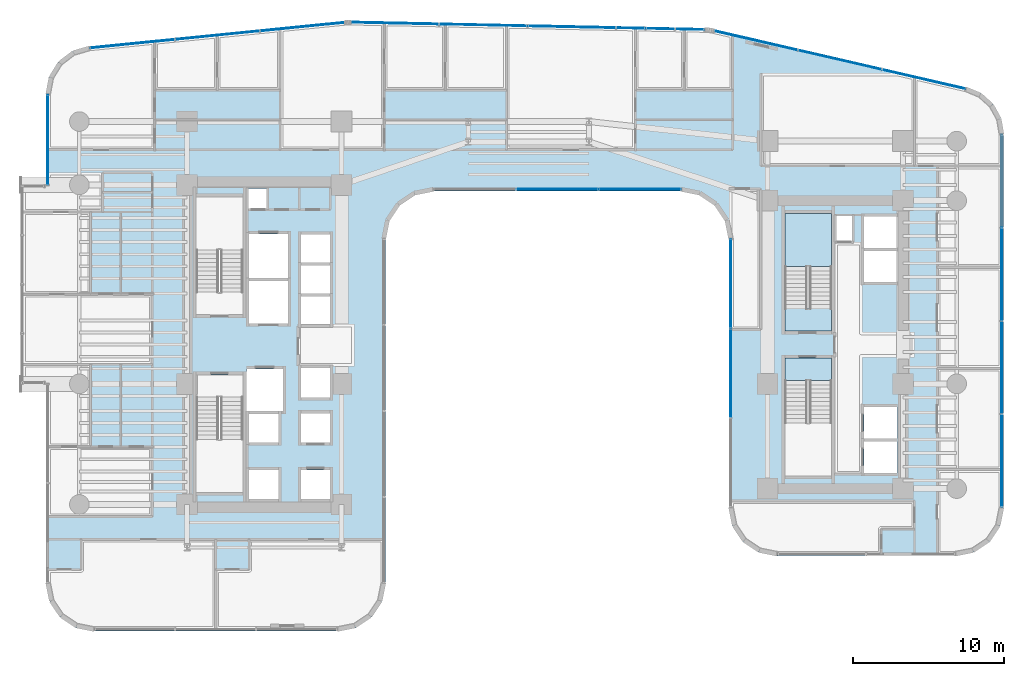
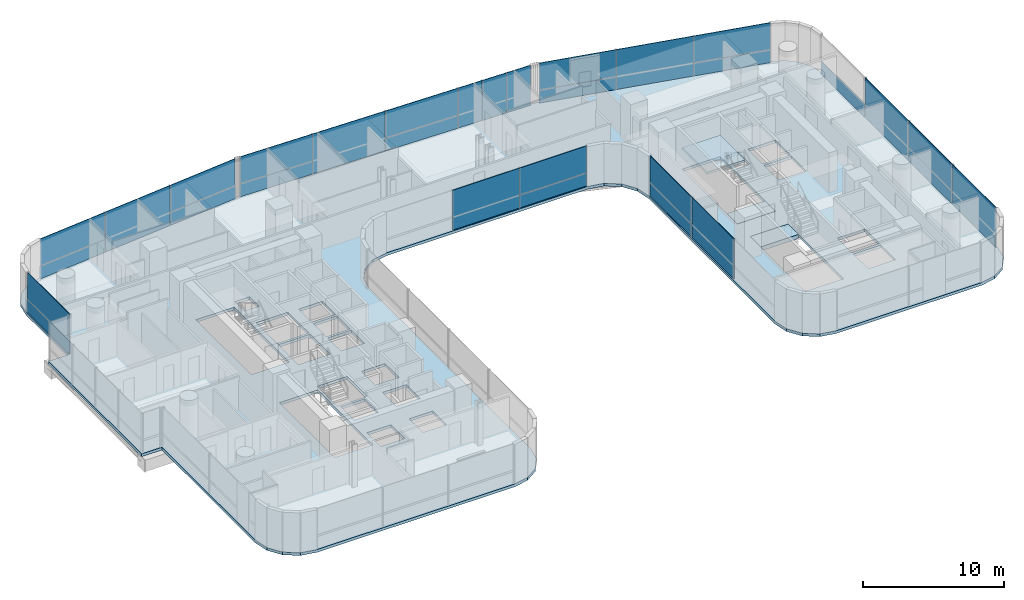
# One storey, part 28 of 40: 31 plates, 4 slabs, 8 elements without a shape of their own.
"""IFC4 building model written with IfcOpenShell, lengths in metres."""

from ifc_helpers import new_model, si_unit, direction, frame, origin, origin_2d, place, context, subcontext, project, spatial, polyline, rectangle, outline, extrude, source, transform, mapped, material, layer, layer_set, type_object, element, aggregate, save


model = new_model("IFC4")

# Units and contexts
model_context = context("Model", 3, precision=1e-05, world=origin(), true_north=direction((0.0, 1.0)))
body_context = subcontext(model_context, "Body", "Model", "MODEL_VIEW")
ifc_project = project(units=[si_unit("LENGTHUNIT", "METRE"), si_unit("AREAUNIT", "SQUARE_METRE"), si_unit("VOLUMEUNIT", "CUBIC_METRE"), si_unit("PLANEANGLEUNIT", "RADIAN"), si_unit("MASSUNIT", "GRAM", prefix="KILO")], contexts=[model_context])

# Site, building, storey
site_placement = place(None, origin())
site = spatial("IfcSite", under=ifc_project, at=site_placement, CompositionType="ELEMENT")
building_placement = place(site_placement, origin())
building = spatial("IfcBuilding", under=site, at=building_placement, Name="Valdorenza Pilgrim Sanctuary Tower", CompositionType="ELEMENT")
storey_placement = place(building_placement, frame((0.0, 0.0, 40.800048828125)))
storey = spatial("IfcBuildingStorey", under=building, at=storey_placement, Name="L09", CompositionType="ELEMENT", Elevation=40.800048828125)

# Slab
ifc_material_1 = material(Name="Concrete C40/50", Category="concrete")
ifc_layer_1 = layer(ifc_material_1, 0.239990234375, Name="Concrete C40/50")
ifc_layer_set_1 = layer_set([ifc_layer_1], Name="Concrete C40/50")
slab_type_1 = type_object("IfcSlabType", Name="SLAB-FLR-220", PredefinedType="FLOOR", material=ifc_layer_set_1)
slab_1_placement = place(storey_placement, frame((0.0, 0.0, -0.239990234375)))
element("IfcSlab", 1, at=slab_1_placement, inside=storey, type_object=slab_type_1, Name="L09 Structural Floor Slab 1", PredefinedType="FLOOR", context=body_context, shape_type="SweptSolid", body=[
    extrude(outline(polyline([(-31.785888671875, 17.754638671875), (-31.172607421875, 18.751220703125), (-30.241943359375, 19.460693359375), (-29.118408203125, 19.7880859375), (-12.192138671875, 21.480712890625), (-11.999755859375, 21.494140625), (-11.9033203125, 21.49658203125), (11.66943359375, 21.0068359375), (11.833984375, 20.999267578125), (11.997802734375, 20.983154296875), (12.160888671875, 20.95849609375), (12.322265625, 20.925537109375), (29.01953125, 17.072509765625), (30.00732421875, 16.660888671875), (30.80419921875, 15.946533203125), (31.321044921875, 15.009521484375), (31.5, 13.954345703125), (31.5, -10.800048828125), (31.25634765625, -12.024658203125), (30.562744140625, -13.062744140625), (29.524658203125, -13.75634765625), (28.300048828125, -14.0), (16.5, -14.0), (15.275390625, -13.75634765625), (14.2373046875, -13.062744140625), (13.543701171875, -12.024658203125), (13.300048828125, -10.800048828125), (13.300048828125, 7.0), (13.056396484375, 8.224609375), (12.36279296875, 9.2626953125), (11.32470703125, 9.956298828125), (10.10009765625, 10.199951171875), (-6.300048828125, 10.199951171875), (-7.524658203125, 9.956298828125), (-8.562744140625, 9.2626953125), (-9.25634765625, 8.224609375), (-9.5, 7.0), (-9.5, -15.800048828125), (-9.74365234375, -17.024658203125), (-10.437255859375, -18.062744140625), (-11.475341796875, -18.75634765625), (-12.699951171875, -19.0), (-28.800048828125, -19.0), (-30.024658203125, -18.75634765625), (-31.062744140625, -18.062744140625), (-31.75634765625, -17.024658203125), (-32.0, -15.800048828125), (-32.0, -2.60009765625), (-33.64990234375, -2.60009765625), (-33.64990234375, 10.60009765625), (-32.0, 10.60009765625), (-32.0, 16.60400390625), (-31.785888671875, 17.754638671875)]), holes=[polyline([(-16.60009765625, -10.25), (-16.60009765625, -8.300048828125), (-18.550048828125, -8.300048828125), (-18.550048828125, -10.25), (-16.60009765625, -10.25)]), polyline([(-22.050048828125, -9.800048828125), (-18.93994140625, -9.800048828125), (-18.93994140625, -3.485107421875), (-18.93994140625, -2.0), (-22.050048828125, -2.0), (-22.050048828125, -3.485107421875), (-22.050048828125, -9.800048828125)]), polyline([(-18.550048828125, -6.5), (-16.60009765625, -6.5), (-16.60009765625, -4.60009765625), (-18.550048828125, -4.60009765625), (-18.550048828125, -6.5)]), polyline([(-13.179931640625, -6.5), (-13.179931640625, -4.550048828125), (-15.10009765625, -4.550048828125), (-15.10009765625, -6.5), (-13.179931640625, -6.5)]), polyline([(-18.719970703125, -4.39990234375), (-16.300048828125, -4.39990234375), (-16.300048828125, -1.60009765625), (-18.719970703125, -1.60009765625), (-18.719970703125, -4.39990234375)]), polyline([(-13.179931640625, -3.5), (-13.179931640625, -1.550048828125), (-15.10009765625, -1.550048828125), (-15.10009765625, -3.5), (-13.179931640625, -3.5)]), polyline([(-22.050048828125, 2.0), (-18.93994140625, 2.0), (-18.93994140625, 3.485107421875), (-18.93994140625, 9.800048828125), (-22.050048828125, 9.800048828125), (-22.050048828125, 3.485107421875), (-22.050048828125, 2.0)]), polyline([(-18.550048828125, 1.39990234375), (-15.949951171875, 1.39990234375), (-15.949951171875, 4.22509765625), (-18.550048828125, 4.22509765625), (-18.550048828125, 1.39990234375)]), polyline([(-15.949951171875, 4.425048828125), (-15.949951171875, 7.35009765625), (-18.550048828125, 7.35009765625), (-18.550048828125, 4.425048828125), (-15.949951171875, 4.425048828125)]), polyline([(-15.10009765625, 5.449951171875), (-13.179931640625, 5.449951171875), (-13.179931640625, 7.300048828125), (-15.10009765625, 7.300048828125), (-15.10009765625, 5.449951171875)]), polyline([(-17.360107421875, 9.030029296875), (-17.360107421875, 10.35009765625), (-18.570068359375, 10.35009765625), (-18.570068359375, 9.030029296875), (-17.360107421875, 9.030029296875)]), polyline([(-15.10009765625, -10.25), (-13.179931640625, -10.25), (-13.179931640625, -8.300048828125), (-15.10009765625, -8.300048828125), (-15.10009765625, -10.25)]), polyline([(22.25, -8.5), (24.47998046875, -8.5), (24.47998046875, -6.425048828125), (22.25, -6.425048828125), (22.25, -8.5)]), polyline([(17.0, -2.385009765625), (17.0, -8.699951171875), (20.110107421875, -8.699951171875), (20.110107421875, -2.385009765625), (20.110107421875, -0.89990234375), (17.0, -0.89990234375), (17.0, -2.385009765625)]), polyline([(22.25, -6.22509765625), (24.47998046875, -6.22509765625), (24.47998046875, -4.14990234375), (22.25, -4.14990234375), (22.25, -6.22509765625)]), polyline([(17.0, 0.89990234375), (20.110107421875, 0.89990234375), (20.110107421875, 2.385009765625), (20.110107421875, 8.699951171875), (17.0, 8.699951171875), (17.0, 2.385009765625), (17.0, 0.89990234375)]), polyline([(-15.10009765625, 1.35009765625), (-13.179931640625, 1.35009765625), (-13.179931640625, 3.199951171875), (-15.10009765625, 3.199951171875), (-15.10009765625, 1.35009765625)]), polyline([(-15.10009765625, 3.39990234375), (-13.179931640625, 3.39990234375), (-13.179931640625, 5.25), (-15.10009765625, 5.25), (-15.10009765625, 3.39990234375)]), polyline([(22.25, 4.14990234375), (24.47998046875, 4.14990234375), (24.47998046875, 6.22509765625), (22.25, 6.22509765625), (22.25, 4.14990234375)]), polyline([(22.25, 6.425048828125), (24.47998046875, 6.425048828125), (24.47998046875, 8.5), (22.25, 8.5), (22.25, 6.425048828125)]), polyline([(20.409912109375, 6.860107421875), (21.489990234375, 6.860107421875), (21.489990234375, 8.52001953125), (20.409912109375, 8.52001953125), (20.409912109375, 6.860107421875)])]), origin(), (0.0, 0.0, 1.0), 0.239990234375),
])

# Stair, slab
stair_type = type_object("IfcStairType", Name="STR-DOG-CORE", PredefinedType="HALF_TURN_STAIR", material=ifc_material_1)
stair_placement = place(storey_placement, origin())
stair = element("IfcStair", 2, at=stair_placement, inside=storey, type_object=stair_type, Name="L09 ST-B1", PredefinedType="HALF_TURN_STAIR")
ifc_layer_2 = layer(ifc_material_1, 0.199951171875, Name="Concrete C40/50")
ifc_layer_set_2 = layer_set([ifc_layer_2], Name="Concrete C40/50")
slab_type_2 = type_object("IfcSlabType", Name="SLAB-STL-200", PredefinedType="LANDING", material=ifc_layer_set_2)
slab_2_placement = place(storey_placement, frame((0.0, 0.0, 1.64990234375)))
slab_2 = element("IfcSlab", 3, at=slab_2_placement, type_object=slab_type_2, Name="ST-B1 landing 1", PredefinedType="LANDING", context=body_context, shape_type="SweptSolid", body=[
    extrude(outline(polyline([(20.110107421875, 5.179931640625), (20.110107421875, 8.699951171875), (17.0, 8.699951171875), (17.0, 5.179931640625), (20.110107421875, 5.179931640625)])), origin(), (0.0, 0.0, 1.0), 0.199951171875),
])
aggregate(stair, [slab_2])

# Slabs
ifc_material_2 = material(Name="Concrete C50/60", Category="concrete")
ifc_layer_3 = layer(ifc_material_2, 0.39990234375, Name="Concrete C50/60")
ifc_layer_set_3 = layer_set([ifc_layer_3], Name="Concrete C50/60")
slab_type_3 = type_object("IfcSlabType", Name="SLAB-TRF-400", PredefinedType="FLOOR", material=ifc_layer_set_3)
slab_3_placement = place(storey_placement, frame((0.0, 0.0, -0.360107421875)))
element("IfcSlab", 4, at=slab_3_placement, inside=storey, type_object=slab_type_3, Name="L09 ST-B1 Structural Stair Landing Bearing Slab", PredefinedType="FLOOR", context=body_context, shape_type="SweptSolid", body=[
    extrude(outline(polyline([(17.0, 0.89990234375), (20.110107421875, 0.89990234375), (20.110107421875, 2.385009765625), (17.0, 2.385009765625), (17.0, 0.89990234375)])), origin(), (0.0, 0.0, 1.0), 0.360107421875),
])
slab_4_placement = place(storey_placement, frame((0.0, 0.0, -0.360107421875)))
element("IfcSlab", 5, at=slab_4_placement, inside=storey, type_object=slab_type_3, Name="L09 ST-B2 Structural Stair Landing Bearing Slab", PredefinedType="FLOOR", context=body_context, shape_type="SweptSolid", body=[
    extrude(outline(polyline([(17.0, -2.385009765625), (20.110107421875, -2.385009765625), (20.110107421875, -0.89990234375), (17.0, -0.89990234375), (17.0, -2.385009765625)])), origin(), (0.0, 0.0, 1.0), 0.360107421875),
])

# Curtain wall, plates
ifc_material_3 = material(Name="Curtain-wall IGU glazing", Category="glass")
curtain_wall_type_1 = type_object("IfcCurtainWallType", Name="CW-SYS-02", PredefinedType="NOTDEFINED", material=ifc_material_3)
curtain_wall_1_placement = place(storey_placement, origin())
curtain_wall_1 = element("IfcCurtainWall", 6, at=curtain_wall_1_placement, inside=storey, type_object=curtain_wall_type_1, Name="L09 Curtain Wall CW-L09-1-6", PredefinedType="NOTDEFINED")
ifc_material_4 = material(Name="Honed travertine limestone", Category="masonry")
ifc_layer_4 = layer(ifc_material_4, 0.050048828125, Name="Honed travertine limestone")
ifc_layer_set_4 = layer_set([ifc_layer_4], Name="Honed travertine limestone")
plate_type_1 = type_object("IfcPlateType", Name="CW-SPN-TRV", PredefinedType="USERDEFINED", material=ifc_layer_set_4)
shared_shape_1 = source(origin(), body_context, "Body", "SweptSolid", [
    extrude(rectangle(XDim=5.646484375, YDim=0.06005859375, at=origin_2d()), origin(), (0.0, 0.0, 1.0), 1.10009765625),
])
plate_1_placement = place(storey_placement, frame((-26.2783203125, 19.961669921875, 0.010009765625), z_axis=(0.0, 0.0, 1.0), x_axis=(0.995038220239, 0.099493418189, 0.0)))
plate_1 = element("IfcPlate", 7, at=plate_1_placement, type_object=plate_type_1, Name="CW-L09-1-6 Travertine Spandrel 1", ObjectType="SPANDREL", PredefinedType="USERDEFINED", context=body_context, shape_type="MappedRepresentation", body=[
    mapped(shared_shape_1, transform((0.0, 0.0, 0.0), x_axis=(1.0, 0.0, 0.0), y_axis=(0.0, 1.0, 0.0), z_axis=(0.0, 0.0, 1.0), scale=1.0)),
])
plate_2_placement = place(storey_placement, frame((-15.001220703125, 21.08935546875, 0.010009765625), z_axis=(0.0, 0.0, 1.0), x_axis=(0.995038220239, 0.099493418189, 0.0)))
plate_2 = element("IfcPlate", 8, at=plate_2_placement, type_object=plate_type_1, Name="CW-L09-1-6 Travertine Spandrel 3", ObjectType="SPANDREL", PredefinedType="USERDEFINED", context=body_context, shape_type="MappedRepresentation", body=[
    mapped(shared_shape_1, transform((0.0, 0.0, 0.0), x_axis=(1.0, 0.0, 0.0), y_axis=(0.0, 1.0, 0.0), z_axis=(0.0, 0.0, 1.0), scale=1.0)),
])
ifc_material_5 = material(Name="Ceramic-fritted low-E IGU glazing", Category="glass")
ifc_layer_5 = layer(ifc_material_5, 0.035888671875, Name="Ceramic-fritted low-E IGU glazing")
ifc_layer_set_5 = layer_set([ifc_layer_5], Name="Ceramic-fritted low-E IGU glazing")
plate_type_2 = type_object("IfcPlateType", Name="CW-GLZ-IGU", PredefinedType="USERDEFINED", material=ifc_layer_set_5)
shared_shape_2 = source(origin(), body_context, "Body", "SweptSolid", [
    extrude(rectangle(XDim=5.646484375, YDim=0.050048828125, at=origin_2d()), origin(), (0.0, 0.0, 1.0), 2.320068359375),
])
plate_3_placement = place(storey_placement, frame((-26.2783203125, 19.961669921875, 1.1298828125), z_axis=(0.0, 0.0, 1.0), x_axis=(0.995038220239, 0.099493418189, 0.0)))
plate_3 = element("IfcPlate", 9, at=plate_3_placement, type_object=plate_type_2, Name="CW-L09-1-6 Facade Panel 1", ObjectType="GLAZING", PredefinedType="USERDEFINED", context=body_context, shape_type="MappedRepresentation", body=[
    mapped(shared_shape_2, transform((0.0, 0.0, 0.0), x_axis=(1.0, 0.0, 0.0), y_axis=(0.0, 1.0, 0.0), z_axis=(0.0, 0.0, 1.0), scale=1.0)),
])
plate_4_placement = place(storey_placement, frame((-15.001220703125, 21.08935546875, 1.1298828125), z_axis=(0.0, 0.0, 1.0), x_axis=(0.995038220239, 0.099493418189, 0.0)))
plate_4 = element("IfcPlate", 10, at=plate_4_placement, type_object=plate_type_2, Name="CW-L09-1-6 Facade Panel 3", ObjectType="GLAZING", PredefinedType="USERDEFINED", context=body_context, shape_type="MappedRepresentation", body=[
    mapped(shared_shape_2, transform((0.0, 0.0, 0.0), x_axis=(1.0, 0.0, 0.0), y_axis=(0.0, 1.0, 0.0), z_axis=(0.0, 0.0, 1.0), scale=1.0)),
])
shared_shape_3 = source(origin(), body_context, "Body", "SweptSolid", [
    extrude(rectangle(XDim=5.646484375, YDim=0.050048828125, at=origin_2d()), origin(), (0.0, 0.0, 1.0), 3.43994140625),
])
plate_5_placement = place(storey_placement, frame((-20.6396484375, 20.525634765625, 0.010009765625), z_axis=(0.0, 0.0, 1.0), x_axis=(0.995038220239, 0.099493418189, 0.0)))
plate_5 = element("IfcPlate", 11, at=plate_5_placement, type_object=plate_type_2, Name="CW-L09-1-6 Full-Height Facade Panel 2", ObjectType="GLAZING", PredefinedType="USERDEFINED", context=body_context, shape_type="MappedRepresentation", body=[
    mapped(shared_shape_3, transform((0.0, 0.0, 0.0), x_axis=(1.0, 0.0, 0.0), y_axis=(0.0, 1.0, 0.0), z_axis=(0.0, 0.0, 1.0), scale=1.0)),
])
aggregate(curtain_wall_1, [plate_1, plate_3, plate_5, plate_2, plate_4])

curtain_wall_2_placement = place(storey_placement, origin())
curtain_wall_2 = element("IfcCurtainWall", 12, at=curtain_wall_2_placement, inside=storey, type_object=curtain_wall_type_1, Name="L09 Curtain Wall CW-L09-1-11", PredefinedType="NOTDEFINED")
shared_shape_4 = source(origin(), body_context, "Body", "SweptSolid", [
    extrude(rectangle(XDim=5.849853515625, YDim=0.06005859375, at=origin_2d()), origin(), (0.0, 0.0, 1.0), 1.10009765625),
])
plate_6_placement = place(storey_placement, frame((-8.8740234375, 21.324951171875, 0.010009765625), z_axis=(0.0, 0.0, 1.0), x_axis=(0.999783234613, -0.020820273474, 0.0)))
plate_6 = element("IfcPlate", 13, at=plate_6_placement, type_object=plate_type_1, Name="CW-L09-1-11 Travertine Spandrel 1", ObjectType="SPANDREL", PredefinedType="USERDEFINED", context=body_context, shape_type="MappedRepresentation", body=[
    mapped(shared_shape_4, transform((0.0, 0.0, 0.0), x_axis=(1.0, 0.0, 0.0), y_axis=(0.0, 1.0, 0.0), z_axis=(0.0, 0.0, 1.0), scale=1.0)),
])
plate_7_placement = place(storey_placement, frame((2.86279296875, 21.080322265625, 0.010009765625), z_axis=(0.0, 0.0, 1.0), x_axis=(0.999783234613, -0.020820273474, 0.0)))
plate_7 = element("IfcPlate", 14, at=plate_7_placement, type_object=plate_type_1, Name="CW-L09-1-11 Travertine Spandrel 3", ObjectType="SPANDREL", PredefinedType="USERDEFINED", context=body_context, shape_type="MappedRepresentation", body=[
    mapped(shared_shape_4, transform((0.0, 0.0, 0.0), x_axis=(1.0, 0.0, 0.0), y_axis=(0.0, 1.0, 0.0), z_axis=(0.0, 0.0, 1.0), scale=1.0)),
])
shared_shape_5 = source(origin(), body_context, "Body", "SweptSolid", [
    extrude(rectangle(XDim=5.849853515625, YDim=0.050048828125, at=origin_2d()), origin(), (0.0, 0.0, 1.0), 2.320068359375),
])
plate_8_placement = place(storey_placement, frame((-8.8740234375, 21.324951171875, 1.1298828125), z_axis=(0.0, 0.0, 1.0), x_axis=(0.999783234613, -0.020820273474, 0.0)))
plate_8 = element("IfcPlate", 15, at=plate_8_placement, type_object=plate_type_2, Name="CW-L09-1-11 Facade Panel 1", ObjectType="GLAZING", PredefinedType="USERDEFINED", context=body_context, shape_type="MappedRepresentation", body=[
    mapped(shared_shape_5, transform((0.0, 0.0, 0.0), x_axis=(1.0, 0.0, 0.0), y_axis=(0.0, 1.0, 0.0), z_axis=(0.0, 0.0, 1.0), scale=1.0)),
])
plate_9_placement = place(storey_placement, frame((2.86279296875, 21.080322265625, 1.1298828125), z_axis=(0.0, 0.0, 1.0), x_axis=(0.999783234613, -0.020820273474, 0.0)))
plate_9 = element("IfcPlate", 16, at=plate_9_placement, type_object=plate_type_2, Name="CW-L09-1-11 Facade Panel 3", ObjectType="GLAZING", PredefinedType="USERDEFINED", context=body_context, shape_type="MappedRepresentation", body=[
    mapped(shared_shape_5, transform((0.0, 0.0, 0.0), x_axis=(1.0, 0.0, 0.0), y_axis=(0.0, 1.0, 0.0), z_axis=(0.0, 0.0, 1.0), scale=1.0)),
])
shared_shape_6 = source(origin(), body_context, "Body", "SweptSolid", [
    extrude(rectangle(XDim=5.849853515625, YDim=0.050048828125, at=origin_2d()), origin(), (0.0, 0.0, 1.0), 3.43994140625),
])
plate_10_placement = place(storey_placement, frame((-3.005615234375, 21.20263671875, 0.010009765625), z_axis=(0.0, 0.0, 1.0), x_axis=(0.999783234613, -0.020820273474, 0.0)))
plate_10 = element("IfcPlate", 17, at=plate_10_placement, type_object=plate_type_2, Name="CW-L09-1-11 Full-Height Facade Panel 2", ObjectType="GLAZING", PredefinedType="USERDEFINED", context=body_context, shape_type="MappedRepresentation", body=[
    mapped(shared_shape_6, transform((0.0, 0.0, 0.0), x_axis=(1.0, 0.0, 0.0), y_axis=(0.0, 1.0, 0.0), z_axis=(0.0, 0.0, 1.0), scale=1.0)),
])

curtain_wall_type_2 = type_object("IfcCurtainWallType", Name="CW-SYS-03", PredefinedType="NOTDEFINED", material=ifc_material_3)
curtain_wall_3_placement = place(storey_placement, origin())
curtain_wall_3 = element("IfcCurtainWall", 18, at=curtain_wall_3_placement, inside=storey, type_object=curtain_wall_type_2, Name="L09 Curtain Wall CW-L09-1-16", PredefinedType="NOTDEFINED")
shared_shape_7 = source(origin(), body_context, "Body", "SweptSolid", [
    extrude(rectangle(XDim=5.6884765625, YDim=0.06005859375, at=origin_2d()), origin(), (0.0, 0.0, 1.0), 1.10009765625),
])
plate_11_placement = place(storey_placement, frame((15.080078125, 20.17626953125, 0.010009765625), z_axis=(0.0, 0.0, 1.0), x_axis=(0.974389691758, -0.224866023659, 0.0)))
plate_11 = element("IfcPlate", 19, at=plate_11_placement, type_object=plate_type_1, Name="CW-L09-1-16 Travertine Spandrel 1", ObjectType="SPANDREL", PredefinedType="USERDEFINED", context=body_context, shape_type="MappedRepresentation", body=[
    mapped(shared_shape_7, transform((0.0, 0.0, 0.0), x_axis=(1.0, 0.0, 0.0), y_axis=(0.0, 1.0, 0.0), z_axis=(0.0, 0.0, 1.0), scale=1.0)),
])
plate_12_placement = place(storey_placement, frame((26.20458984375, 17.609130859375, 0.010009765625), z_axis=(0.0, 0.0, 1.0), x_axis=(0.974389691758, -0.224866023659, 0.0)))
plate_12 = element("IfcPlate", 20, at=plate_12_placement, type_object=plate_type_1, Name="CW-L09-1-16 Travertine Spandrel 3", ObjectType="SPANDREL", PredefinedType="USERDEFINED", context=body_context, shape_type="MappedRepresentation", body=[
    mapped(shared_shape_7, transform((0.0, 0.0, 0.0), x_axis=(1.0, 0.0, 0.0), y_axis=(0.0, 1.0, 0.0), z_axis=(0.0, 0.0, 1.0), scale=1.0)),
])
shared_shape_8 = source(origin(), body_context, "Body", "SweptSolid", [
    extrude(rectangle(XDim=5.6884765625, YDim=0.050048828125, at=origin_2d()), origin(), (0.0, 0.0, 1.0), 2.320068359375),
])
plate_13_placement = place(storey_placement, frame((15.080078125, 20.17626953125, 1.1298828125), z_axis=(0.0, 0.0, 1.0), x_axis=(0.974389691758, -0.224866023659, 0.0)))
plate_13 = element("IfcPlate", 21, at=plate_13_placement, type_object=plate_type_2, Name="CW-L09-1-16 Facade Panel 1", ObjectType="GLAZING", PredefinedType="USERDEFINED", context=body_context, shape_type="MappedRepresentation", body=[
    mapped(shared_shape_8, transform((0.0, 0.0, 0.0), x_axis=(1.0, 0.0, 0.0), y_axis=(0.0, 1.0, 0.0), z_axis=(0.0, 0.0, 1.0), scale=1.0)),
])
plate_14_placement = place(storey_placement, frame((26.20458984375, 17.609130859375, 1.1298828125), z_axis=(0.0, 0.0, 1.0), x_axis=(0.974389691758, -0.224866023659, 0.0)))
plate_14 = element("IfcPlate", 22, at=plate_14_placement, type_object=plate_type_2, Name="CW-L09-1-16 Facade Panel 3", ObjectType="GLAZING", PredefinedType="USERDEFINED", context=body_context, shape_type="MappedRepresentation", body=[
    mapped(shared_shape_8, transform((0.0, 0.0, 0.0), x_axis=(1.0, 0.0, 0.0), y_axis=(0.0, 1.0, 0.0), z_axis=(0.0, 0.0, 1.0), scale=1.0)),
])
shared_shape_9 = source(origin(), body_context, "Body", "SweptSolid", [
    extrude(rectangle(XDim=5.6884765625, YDim=0.050048828125, at=origin_2d()), origin(), (0.0, 0.0, 1.0), 3.43994140625),
])
plate_15_placement = place(storey_placement, frame((20.642333984375, 18.892578125, 0.010009765625), z_axis=(0.0, 0.0, 1.0), x_axis=(0.974389691758, -0.224866023659, 0.0)))
plate_15 = element("IfcPlate", 23, at=plate_15_placement, type_object=plate_type_2, Name="CW-L09-1-16 Full-Height Facade Panel 2", ObjectType="GLAZING", PredefinedType="USERDEFINED", context=body_context, shape_type="MappedRepresentation", body=[
    mapped(shared_shape_9, transform((0.0, 0.0, 0.0), x_axis=(1.0, 0.0, 0.0), y_axis=(0.0, 1.0, 0.0), z_axis=(0.0, 0.0, 1.0), scale=1.0)),
])
aggregate(curtain_wall_3, [plate_11, plate_13, plate_15, plate_12, plate_14])

curtain_wall_4_placement = place(storey_placement, origin())
curtain_wall_4 = element("IfcCurtainWall", 24, at=curtain_wall_4_placement, inside=storey, type_object=curtain_wall_type_2, Name="L09 Curtain Wall CW-L09-1-21", PredefinedType="NOTDEFINED")
shared_shape_10 = source(origin(), body_context, "Body", "SweptSolid", [
    extrude(rectangle(XDim=6.16357421875, YDim=0.06005859375, at=origin_2d()), origin(), (0.0, 0.0, 1.0), 1.10009765625),
])
plate_16_placement = place(storey_placement, frame((31.389892578125, 10.853271484375, 0.010009765625), z_axis=(0.0, 0.0, 1.0), x_axis=(0.0, -1.0, 0.0)))
plate_16 = element("IfcPlate", 25, at=plate_16_placement, type_object=plate_type_1, Name="CW-L09-1-21 Travertine Spandrel 1", ObjectType="SPANDREL", PredefinedType="USERDEFINED", context=body_context, shape_type="MappedRepresentation", body=[
    mapped(shared_shape_10, transform((0.0, 0.0, 0.0), x_axis=(1.0, 0.0, 0.0), y_axis=(0.0, 1.0, 0.0), z_axis=(0.0, 0.0, 1.0), scale=1.0)),
])
plate_17_placement = place(storey_placement, frame((31.389892578125, -1.513916015625, 0.010009765625), z_axis=(0.0, 0.0, 1.0), x_axis=(0.0, -1.0, 0.0)))
plate_17 = element("IfcPlate", 26, at=plate_17_placement, type_object=plate_type_1, Name="CW-L09-1-21 Travertine Spandrel 3", ObjectType="SPANDREL", PredefinedType="USERDEFINED", context=body_context, shape_type="MappedRepresentation", body=[
    mapped(shared_shape_10, transform((0.0, 0.0, 0.0), x_axis=(1.0, 0.0, 0.0), y_axis=(0.0, 1.0, 0.0), z_axis=(0.0, 0.0, 1.0), scale=1.0)),
])
shared_shape_11 = source(origin(), body_context, "Body", "SweptSolid", [
    extrude(rectangle(XDim=6.16357421875, YDim=0.050048828125, at=origin_2d()), origin(), (0.0, 0.0, 1.0), 2.320068359375),
])
plate_18_placement = place(storey_placement, frame((31.389892578125, -1.513916015625, 1.1298828125), z_axis=(0.0, 0.0, 1.0), x_axis=(0.0, -1.0, 0.0)))
plate_18 = element("IfcPlate", 27, at=plate_18_placement, type_object=plate_type_2, Name="CW-L09-1-21 Facade Panel 3", ObjectType="GLAZING", PredefinedType="USERDEFINED", context=body_context, shape_type="MappedRepresentation", body=[
    mapped(shared_shape_11, transform((0.0, 0.0, 0.0), x_axis=(1.0, 0.0, 0.0), y_axis=(0.0, 1.0, 0.0), z_axis=(0.0, 0.0, 1.0), scale=1.0)),
])
shared_shape_12 = source(origin(), body_context, "Body", "SweptSolid", [
    extrude(rectangle(XDim=6.16357421875, YDim=0.050048828125, at=origin_2d()), origin(), (0.0, 0.0, 1.0), 3.43994140625),
])
plate_19_placement = place(storey_placement, frame((31.389892578125, 4.669677734375, 0.010009765625), z_axis=(0.0, 0.0, 1.0), x_axis=(0.0, -1.0, 0.0)))
plate_19 = element("IfcPlate", 28, at=plate_19_placement, type_object=plate_type_2, Name="CW-L09-1-21 Full-Height Facade Panel 2", ObjectType="GLAZING", PredefinedType="USERDEFINED", context=body_context, shape_type="MappedRepresentation", body=[
    mapped(shared_shape_12, transform((0.0, 0.0, 0.0), x_axis=(1.0, 0.0, 0.0), y_axis=(0.0, 1.0, 0.0), z_axis=(0.0, 0.0, 1.0), scale=1.0)),
])
plate_20_placement = place(storey_placement, frame((31.389892578125, -7.697509765625, 0.010009765625), z_axis=(0.0, 0.0, 1.0), x_axis=(0.0, -1.0, 0.0)))
plate_20 = element("IfcPlate", 29, at=plate_20_placement, type_object=plate_type_2, Name="CW-L09-1-21 Full-Height Facade Panel 4", ObjectType="GLAZING", PredefinedType="USERDEFINED", context=body_context, shape_type="MappedRepresentation", body=[
    mapped(shared_shape_12, transform((0.0, 0.0, 0.0), x_axis=(1.0, 0.0, 0.0), y_axis=(0.0, 1.0, 0.0), z_axis=(0.0, 0.0, 1.0), scale=1.0)),
])
aggregate(curtain_wall_4, [plate_16, plate_19, plate_17, plate_18, plate_20])

curtain_wall_5_placement = place(storey_placement, origin())
curtain_wall_5 = element("IfcCurtainWall", 30, at=curtain_wall_5_placement, inside=storey, type_object=curtain_wall_type_2, Name="L09 Curtain Wall CW-L09-1-31", PredefinedType="NOTDEFINED")
shared_shape_13 = source(origin(), body_context, "Body", "SweptSolid", [
    extrude(rectangle(XDim=5.913330078125, YDim=0.06005859375, at=origin_2d()), origin(), (0.0, 0.0, 1.0), 1.10009765625),
])
plate_21_placement = place(storey_placement, frame((13.409912109375, 4.044189453125, 0.010009765625), z_axis=(0.0, 0.0, 1.0), x_axis=(0.0, 1.0, 0.0)))
plate_21 = element("IfcPlate", 31, at=plate_21_placement, type_object=plate_type_1, Name="CW-L09-1-31 Travertine Spandrel 3", ObjectType="SPANDREL", PredefinedType="USERDEFINED", context=body_context, shape_type="MappedRepresentation", body=[
    mapped(shared_shape_13, transform((0.0, 0.0, 0.0), x_axis=(1.0, 0.0, 0.0), y_axis=(0.0, 1.0, 0.0), z_axis=(0.0, 0.0, 1.0), scale=1.0)),
])
shared_shape_14 = source(origin(), body_context, "Body", "SweptSolid", [
    extrude(rectangle(XDim=5.913330078125, YDim=0.050048828125, at=origin_2d()), origin(), (0.0, 0.0, 1.0), 2.320068359375),
])
plate_22_placement = place(storey_placement, frame((13.409912109375, 4.044189453125, 1.1298828125), z_axis=(0.0, 0.0, 1.0), x_axis=(0.0, 1.0, 0.0)))
plate_22 = element("IfcPlate", 32, at=plate_22_placement, type_object=plate_type_2, Name="CW-L09-1-31 Facade Panel 3", ObjectType="GLAZING", PredefinedType="USERDEFINED", context=body_context, shape_type="MappedRepresentation", body=[
    mapped(shared_shape_14, transform((0.0, 0.0, 0.0), x_axis=(1.0, 0.0, 0.0), y_axis=(0.0, 1.0, 0.0), z_axis=(0.0, 0.0, 1.0), scale=1.0)),
])
shared_shape_15 = source(origin(), body_context, "Body", "SweptSolid", [
    extrude(rectangle(XDim=5.913330078125, YDim=0.050048828125, at=origin_2d()), origin(), (0.0, 0.0, 1.0), 3.43994140625),
])
plate_23_placement = place(storey_placement, frame((13.409912109375, -1.88916015625, 0.010009765625), z_axis=(0.0, 0.0, 1.0), x_axis=(0.0, 1.0, 0.0)))
plate_23 = element("IfcPlate", 33, at=plate_23_placement, type_object=plate_type_2, Name="CW-L09-1-31 Full-Height Facade Panel 2", ObjectType="GLAZING", PredefinedType="USERDEFINED", context=body_context, shape_type="MappedRepresentation", body=[
    mapped(shared_shape_15, transform((0.0, 0.0, 0.0), x_axis=(1.0, 0.0, 0.0), y_axis=(0.0, 1.0, 0.0), z_axis=(0.0, 0.0, 1.0), scale=1.0)),
])
aggregate(curtain_wall_5, [plate_23, plate_21, plate_22])

curtain_wall_6_placement = place(storey_placement, origin())
curtain_wall_6 = element("IfcCurtainWall", 34, at=curtain_wall_6_placement, inside=storey, type_object=curtain_wall_type_1, Name="L09 Curtain Wall CW-L09-1-36", PredefinedType="NOTDEFINED")
shared_shape_16 = source(origin(), body_context, "Body", "SweptSolid", [
    extrude(rectangle(XDim=5.453857421875, YDim=0.06005859375, at=origin_2d()), origin(), (0.0, 0.0, 1.0), 1.10009765625),
])
plate_24_placement = place(storey_placement, frame((7.373779296875, 10.31005859375, 0.010009765625), z_axis=(0.0, 0.0, 1.0), x_axis=(-1.0, 0.0, 0.0)))
plate_24 = element("IfcPlate", 35, at=plate_24_placement, type_object=plate_type_1, Name="CW-L09-1-36 Travertine Spandrel 1", ObjectType="SPANDREL", PredefinedType="USERDEFINED", context=body_context, shape_type="MappedRepresentation", body=[
    mapped(shared_shape_16, transform((0.0, 0.0, 0.0), x_axis=(1.0, 0.0, 0.0), y_axis=(0.0, 1.0, 0.0), z_axis=(0.0, 0.0, 1.0), scale=1.0)),
])
shared_shape_17 = source(origin(), body_context, "Body", "SweptSolid", [
    extrude(rectangle(XDim=5.453857421875, YDim=0.050048828125, at=origin_2d()), origin(), (0.0, 0.0, 1.0), 2.320068359375),
])
plate_25_placement = place(storey_placement, frame((7.373779296875, 10.31005859375, 1.1298828125), z_axis=(0.0, 0.0, 1.0), x_axis=(-1.0, 0.0, 0.0)))
plate_25 = element("IfcPlate", 36, at=plate_25_placement, type_object=plate_type_2, Name="CW-L09-1-36 Facade Panel 1", ObjectType="GLAZING", PredefinedType="USERDEFINED", context=body_context, shape_type="MappedRepresentation", body=[
    mapped(shared_shape_17, transform((0.0, 0.0, 0.0), x_axis=(1.0, 0.0, 0.0), y_axis=(0.0, 1.0, 0.0), z_axis=(0.0, 0.0, 1.0), scale=1.0)),
])
shared_shape_18 = source(origin(), body_context, "Body", "SweptSolid", [
    extrude(rectangle(XDim=5.453857421875, YDim=0.050048828125, at=origin_2d()), origin(), (0.0, 0.0, 1.0), 3.43994140625),
])
plate_26_placement = place(storey_placement, frame((1.89990234375, 10.31005859375, 0.010009765625), z_axis=(0.0, 0.0, 1.0), x_axis=(-1.0, 0.0, 0.0)))
plate_26 = element("IfcPlate", 37, at=plate_26_placement, type_object=plate_type_2, Name="CW-L09-1-36 Full-Height Facade Panel 2", ObjectType="GLAZING", PredefinedType="USERDEFINED", context=body_context, shape_type="MappedRepresentation", body=[
    mapped(shared_shape_18, transform((0.0, 0.0, 0.0), x_axis=(1.0, 0.0, 0.0), y_axis=(0.0, 1.0, 0.0), z_axis=(0.0, 0.0, 1.0), scale=1.0)),
])
aggregate(curtain_wall_6, [plate_24, plate_25, plate_26])

curtain_wall_7_placement = place(storey_placement, origin())
curtain_wall_7 = element("IfcCurtainWall", 38, at=curtain_wall_7_placement, inside=storey, type_object=curtain_wall_type_1, Name="L09 Curtain Wall CW-L09-1-1S2", PredefinedType="NOTDEFINED")
shared_shape_19 = source(origin(), body_context, "Body", "SweptSolid", [
    extrude(rectangle(XDim=5.973876953125, YDim=0.06005859375, at=origin_2d()), origin(), (0.0, 0.0, 1.0), 1.10009765625),
])
plate_27_placement = place(storey_placement, frame((-31.889892578125, 13.596923828125, 0.010009765625), z_axis=(0.0, 0.0, 1.0), x_axis=(0.0, 1.0, 0.0)))
plate_27 = element("IfcPlate", 39, at=plate_27_placement, type_object=plate_type_1, Name="CW-L09-1-1S2 Travertine Spandrel 1", ObjectType="SPANDREL", PredefinedType="USERDEFINED", context=body_context, shape_type="MappedRepresentation", body=[
    mapped(shared_shape_19, transform((0.0, 0.0, 0.0), x_axis=(1.0, 0.0, 0.0), y_axis=(0.0, 1.0, 0.0), z_axis=(0.0, 0.0, 1.0), scale=1.0)),
])
shared_shape_20 = source(origin(), body_context, "Body", "SweptSolid", [
    extrude(rectangle(XDim=5.973876953125, YDim=0.050048828125, at=origin_2d()), origin(), (0.0, 0.0, 1.0), 2.320068359375),
])
plate_28_placement = place(storey_placement, frame((-31.889892578125, 13.596923828125, 1.1298828125), z_axis=(0.0, 0.0, 1.0), x_axis=(0.0, 1.0, 0.0)))
plate_28 = element("IfcPlate", 40, at=plate_28_placement, type_object=plate_type_2, Name="CW-L09-1-1S2 Facade Panel 1", ObjectType="GLAZING", PredefinedType="USERDEFINED", context=body_context, shape_type="MappedRepresentation", body=[
    mapped(shared_shape_20, transform((0.0, 0.0, 0.0), x_axis=(1.0, 0.0, 0.0), y_axis=(0.0, 1.0, 0.0), z_axis=(0.0, 0.0, 1.0), scale=1.0)),
])
aggregate(curtain_wall_7, [plate_27, plate_28])

# Plate
shared_shape_21 = source(origin(), body_context, "Body", "SweptSolid", [
    extrude(rectangle(XDim=1.929931640625, YDim=0.050048828125, at=origin_2d()), origin(), (0.0, 0.0, 1.0), 3.43994140625),
])
plate_29_placement = place(storey_placement, frame((6.781982421875, 20.998779296875, 0.010009765625), z_axis=(0.0, 0.0, 1.0), x_axis=(0.999783234613, -0.020820273474, 0.0)))
plate_29 = element("IfcPlate", 41, at=plate_29_placement, type_object=plate_type_2, Name="CW-L09-1-11 Full-Height Facade Panel 4 Sub 1", ObjectType="GLAZING", PredefinedType="USERDEFINED", context=body_context, shape_type="MappedRepresentation", body=[
    mapped(shared_shape_21, transform((0.0, 0.0, 0.0), x_axis=(1.0, 0.0, 0.0), y_axis=(0.0, 1.0, 0.0), z_axis=(0.0, 0.0, 1.0), scale=1.0)),
])

plate_30_placement = place(storey_placement, frame((8.7314453125, 20.9580078125, 0.010009765625), z_axis=(0.0, 0.0, 1.0), x_axis=(0.999783234613, -0.020820273474, 0.0)))
plate_30 = element("IfcPlate", 42, at=plate_30_placement, type_object=plate_type_2, Name="CW-L09-1-11 Full-Height Facade Panel 4 Sub 2", ObjectType="GLAZING", PredefinedType="USERDEFINED", context=body_context, shape_type="MappedRepresentation", body=[
    mapped(shared_shape_21, transform((0.0, 0.0, 0.0), x_axis=(1.0, 0.0, 0.0), y_axis=(0.0, 1.0, 0.0), z_axis=(0.0, 0.0, 1.0), scale=1.0)),
])

plate_31_placement = place(storey_placement, frame((10.680908203125, 20.91748046875, 0.010009765625), z_axis=(0.0, 0.0, 1.0), x_axis=(0.999783234613, -0.020820273474, 0.0)))
plate_31 = element("IfcPlate", 43, at=plate_31_placement, type_object=plate_type_2, Name="CW-L09-1-11 Full-Height Facade Panel 4 Sub 3", ObjectType="GLAZING", PredefinedType="USERDEFINED", context=body_context, shape_type="MappedRepresentation", body=[
    mapped(shared_shape_21, transform((0.0, 0.0, 0.0), x_axis=(1.0, 0.0, 0.0), y_axis=(0.0, 1.0, 0.0), z_axis=(0.0, 0.0, 1.0), scale=1.0)),
])

aggregate(curtain_wall_2, [plate_6, plate_8, plate_10, plate_7, plate_9, plate_29, plate_30, plate_31])

save(model, "model.ifc")
